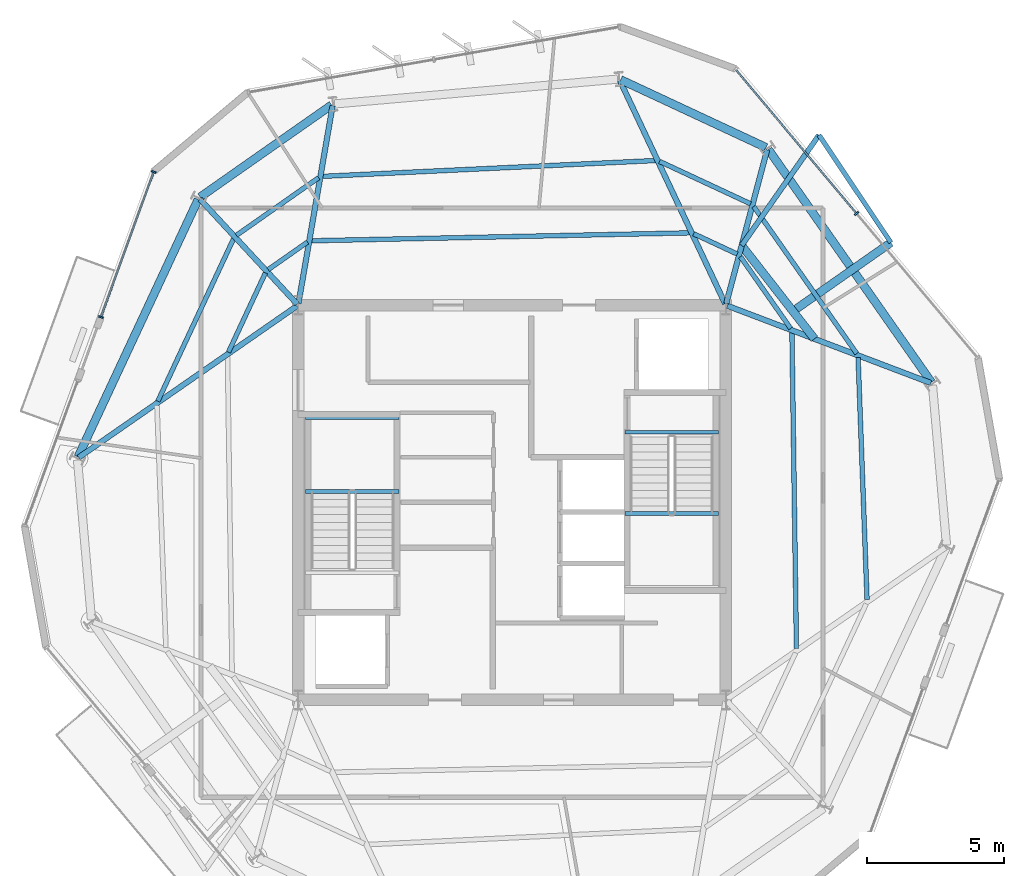
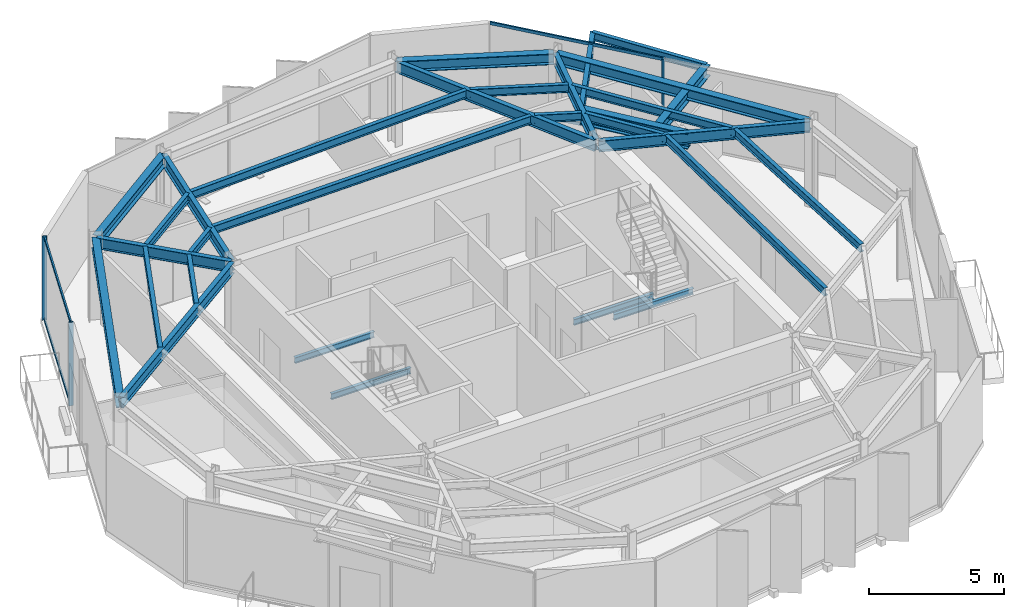
# One storey, part 4 of 11: 30 beams, 7 members, 2 elements without a shape of their own.
"""IFC4 building model written with IfcOpenShell, lengths in metres."""

from ifc_helpers import new_model, si_unit, direction, frame, origin, origin_2d, place, context, subcontext, project, spatial, rectangle, i_section, extrude, material, layer, layer_set, material_profile, profile_set, type_object, element, aggregate, save


model = new_model("IFC4")

# Units and contexts
model_context = context("Model", 3, precision=1e-05, world=origin(), true_north=direction((0.0, 1.0)))
body_context = subcontext(model_context, "Body", "Model", "MODEL_VIEW")
ifc_project = project(units=[si_unit("LENGTHUNIT", "METRE"), si_unit("AREAUNIT", "SQUARE_METRE"), si_unit("VOLUMEUNIT", "CUBIC_METRE"), si_unit("PLANEANGLEUNIT", "RADIAN"), si_unit("MASSUNIT", "GRAM", prefix="KILO")], contexts=[model_context])

# Site, building, storey
site_placement = place(None, origin())
site = spatial("IfcSite", under=ifc_project, at=site_placement, CompositionType="ELEMENT")
building_placement = place(site_placement, origin())
building = spatial("IfcBuilding", under=site, at=building_placement, Name="Kranzbogen Civic Tower", CompositionType="ELEMENT")
storey_placement = place(building_placement, frame((0.0, 0.0, 306.199951171875)))
storey = spatial("IfcBuildingStorey", under=building, at=storey_placement, Name="L74", CompositionType="ELEMENT", Elevation=306.199951171875)

# Beam
ifc_material_1 = material(Name="Steel S355", Category="steel")
ifc_material_profile_1 = material_profile(ifc_material_1, i_section(OverallWidth=0.18994140625, OverallDepth=0.449951171875, WebThickness=0.009521484375, FlangeThickness=0.0146484375, at=origin_2d()), Name="IPE 450")
ifc_profile_set_1 = profile_set([ifc_material_profile_1], Name="Steel S355")
beam_type_1 = type_object("IfcBeamType", Name="Braced Terrace Edge Beam IPE 450", PredefinedType="BEAM", material=ifc_profile_set_1)
beam_1_placement = place(storey_placement, frame((33.3779296875, 34.3759765625, 3.525146484375), z_axis=(0.573558949877, 0.819164288172, 0.0), x_axis=(-0.819164288172, 0.573558949877, 0.0)))
element("IfcBeam", 1, at=beam_1_placement, inside=storey, type_object=beam_type_1, Name="L75 back-spanned terrace beam L75-TB2-2", PredefinedType="BEAM", context=body_context, shape_type="SweptSolid", body=[
    extrude(i_section(OverallWidth=0.18994140625, OverallDepth=0.449951171875, WebThickness=0.009521484375, FlangeThickness=0.0146484375, at=origin_2d()), origin(), (0.0, 0.0, 1.0), 4.91845703125),
])

# Curtain wall, members
ifc_material_2 = material(Name="Pale Anodised Aluminium", Category="aluminium")
ifc_layer = layer(ifc_material_2, 0.219970703125, Name="Pale Anodised Aluminium")
ifc_layer_set = layer_set([ifc_layer], Name="Pale Anodised Aluminium")
curtain_wall_type = type_object("IfcCurtainWallType", Name="Zone 4 Stick Curtain Wall System CW-05", PredefinedType="USERDEFINED", material=ifc_layer_set)
curtain_wall_1_placement = place(storey_placement, origin())
curtain_wall_1 = element("IfcCurtainWall", 2, at=curtain_wall_1_placement, inside=storey, type_object=curtain_wall_type, Name="L74 curtain wall CW-L74-F2-S1", ObjectType="STICK CURTAIN WALL", PredefinedType="USERDEFINED")
ifc_material_profile_2 = material_profile(ifc_material_2, rectangle(XDim=0.06494140625, YDim=0.179931640625, at=origin_2d()), Name="ALU-M 65x180")
ifc_profile_set_2 = profile_set([ifc_material_profile_2], Name="Pale Anodised Aluminium")
member_type_1 = type_object("IfcMemberType", Name="Curtain Wall Mullion ALU-M 65x180", PredefinedType="MULLION", material=ifc_profile_set_2)
member_1_placement = place(storey_placement, frame((11.9326171875, 37.059814453125, 0.0), z_axis=(0.0, 0.0, 1.0), x_axis=(-0.342039257273, -0.939685663658, 0.0)))
member_1 = element("IfcMember", 3, at=member_1_placement, type_object=member_type_1, Name="CW-05 mullion 1", PredefinedType="MULLION", context=body_context, shape_type="SweptSolid", body=[
    extrude(rectangle(XDim=0.06494140625, YDim=0.179931640625, at=origin_2d()), origin(), (0.0, 0.0, 1.0), 3.780029296875),
])
member_2_placement = place(storey_placement, frame((10.00634765625, 31.76708984375, 0.0), z_axis=(0.0, 0.0, 1.0), x_axis=(-0.342039257273, -0.939685663658, 0.0)))
member_2 = element("IfcMember", 4, at=member_2_placement, type_object=member_type_1, Name="CW-05 mullion 2", PredefinedType="MULLION", context=body_context, shape_type="SweptSolid", body=[
    extrude(rectangle(XDim=0.06494140625, YDim=0.179931640625, at=origin_2d()), origin(), (0.0, 0.0, 1.0), 3.780029296875),
])

# Curtain wall, member
curtain_wall_2_placement = place(storey_placement, origin())
curtain_wall_2 = element("IfcCurtainWall", 5, at=curtain_wall_2_placement, inside=storey, type_object=curtain_wall_type, Name="L74 curtain wall CW-L74-F6", ObjectType="STICK CURTAIN WALL", PredefinedType="USERDEFINED")
member_3_placement = place(storey_placement, frame((37.56640625, 35.54443359375, 0.0), z_axis=(0.0, 0.0, 1.0), x_axis=(-0.642756484055, 0.766070559547, 0.0)))
member_3 = element("IfcMember", 6, at=member_3_placement, type_object=member_type_1, Name="CW-05 mullion 2", PredefinedType="MULLION", context=body_context, shape_type="SweptSolid", body=[
    extrude(rectangle(XDim=0.06494140625, YDim=0.179931640625, at=origin_2d()), origin(), (0.0, 0.0, 1.0), 3.780029296875),
])

# Member
ifc_material_profile_3 = material_profile(ifc_material_2, rectangle(XDim=0.06494140625, YDim=0.135009765625, at=origin_2d()), Name="ALU-T 65x135")
ifc_profile_set_3 = profile_set([ifc_material_profile_3], Name="Pale Anodised Aluminium")
member_type_2 = type_object("IfcMemberType", Name="Curtain Wall Transom ALU-T 65x135", PredefinedType="USERDEFINED", material=ifc_profile_set_3)
member_4_placement = place(storey_placement, frame((11.92236328125, 37.03173828125, 0.030029296875), z_axis=(-0.342003368861, -0.939698726022, 0.0), x_axis=(0.939698726022, -0.342003368861, 0.0)))
member_4 = element("IfcMember", 7, at=member_4_placement, type_object=member_type_2, Name="CW-05 transom 1.1", ObjectType="TRANSOM", PredefinedType="USERDEFINED", context=body_context, shape_type="SweptSolid", body=[
    extrude(rectangle(XDim=0.06494140625, YDim=0.135009765625, at=origin_2d()), origin(), (0.0, 0.0, 1.0), 5.572265625),
])

member_5_placement = place(storey_placement, frame((11.92236328125, 37.03173828125, 3.75), z_axis=(-0.342003368861, -0.939698726022, 0.0), x_axis=(0.939698726022, -0.342003368861, 0.0)))
member_5 = element("IfcMember", 8, at=member_5_placement, type_object=member_type_2, Name="CW-05 transom 1.2", ObjectType="TRANSOM", PredefinedType="USERDEFINED", context=body_context, shape_type="SweptSolid", body=[
    extrude(rectangle(XDim=0.06494140625, YDim=0.135009765625, at=origin_2d()), origin(), (0.0, 0.0, 1.0), 5.572265625),
])

aggregate(curtain_wall_1, [member_1, member_2, member_4, member_5])

member_6_placement = place(storey_placement, frame((37.547119140625, 35.5673828125, 0.030029296875), z_axis=(-0.642740017665, 0.766084375047, 0.0), x_axis=(-0.766084375047, -0.642740017665, 0.0)))
member_6 = element("IfcMember", 9, at=member_6_placement, type_object=member_type_2, Name="CW-05 transom 2.1", ObjectType="TRANSOM", PredefinedType="USERDEFINED", context=body_context, shape_type="SweptSolid", body=[
    extrude(rectangle(XDim=0.06494140625, YDim=0.135009765625, at=origin_2d()), origin(), (0.0, 0.0, 1.0), 6.802978515625),
])

member_7_placement = place(storey_placement, frame((37.547119140625, 35.5673828125, 3.75), z_axis=(-0.642740017665, 0.766084375047, 0.0), x_axis=(-0.766084375047, -0.642740017665, 0.0)))
member_7 = element("IfcMember", 10, at=member_7_placement, type_object=member_type_2, Name="CW-05 transom 2.2", ObjectType="TRANSOM", PredefinedType="USERDEFINED", context=body_context, shape_type="SweptSolid", body=[
    extrude(rectangle(XDim=0.06494140625, YDim=0.135009765625, at=origin_2d()), origin(), (0.0, 0.0, 1.0), 6.802978515625),
])

aggregate(curtain_wall_2, [member_3, member_6, member_7])

# Beams
ifc_material_profile_4 = material_profile(ifc_material_1, i_section(OverallWidth=0.300048828125, OverallDepth=0.5, WebThickness=0.014404296875, FlangeThickness=0.028076171875, at=origin_2d()), Name="HEB 500")
ifc_profile_set_4 = profile_set([ifc_material_profile_4], Name="Steel S355")
beam_type_2 = type_object("IfcBeamType", Name="Perimeter Tube Spandrel Beam HEB 500", PredefinedType="SPANDREL", material=ifc_profile_set_4)
beam_2_placement = place(storey_placement, frame((40.300048828125, 29.387939453125, 3.530029296875), z_axis=(-0.573577759301, 0.819151117948, 0.0), x_axis=(-0.819151117948, -0.573577759301, 0.0)))
element("IfcBeam", 11, at=beam_2_placement, inside=storey, type_object=beam_type_2, Name="L74 perimeter spandrel beam 07", PredefinedType="SPANDREL", context=body_context, shape_type="SweptSolid", body=[
    extrude(i_section(OverallWidth=0.300048828125, OverallDepth=0.5, WebThickness=0.014404296875, FlangeThickness=0.028076171875, at=origin_2d()), origin(), (0.0, 0.0, 1.0), 10.36328125),
])
beam_3_placement = place(storey_placement, frame((34.26806640625, 37.950927734375, 3.530029296875), z_axis=(-0.906289661556, 0.422657129784, 0.0), x_axis=(-0.422657129784, -0.906289661556, 0.0)))
element("IfcBeam", 12, at=beam_3_placement, inside=storey, type_object=beam_type_2, Name="L74 perimeter spandrel beam 08", PredefinedType="SPANDREL", context=body_context, shape_type="SweptSolid", body=[
    extrude(i_section(OverallWidth=0.300048828125, OverallDepth=0.5, WebThickness=0.014404296875, FlangeThickness=0.028076171875, at=origin_2d()), origin(), (0.0, 0.0, 1.0), 5.853759765625),
])
beam_4_placement = place(storey_placement, frame((18.41796875, 39.501953125, 3.530029296875), z_axis=(-0.819059436004, -0.57370867197, 0.0), x_axis=(0.57370867197, -0.819059436004, 0.0)))
element("IfcBeam", 13, at=beam_4_placement, inside=storey, type_object=beam_type_2, Name="L74 perimeter spandrel beam 10", PredefinedType="SPANDREL", context=body_context, shape_type="SweptSolid", body=[
    extrude(i_section(OverallWidth=0.300048828125, OverallDepth=0.5, WebThickness=0.014404296875, FlangeThickness=0.028076171875, at=origin_2d()), origin(), (0.0, 0.0, 1.0), 5.85302734375),
])
beam_5_placement = place(storey_placement, frame((13.550048828125, 36.055908203125, 3.530029296875), z_axis=(-0.422668780888, -0.906284227857, 0.0), x_axis=(0.906284227857, -0.422668780888, 0.0)))
element("IfcBeam", 14, at=beam_5_placement, inside=storey, type_object=beam_type_2, Name="L74 perimeter spandrel beam 11", PredefinedType="SPANDREL", context=body_context, shape_type="SweptSolid", body=[
    extrude(i_section(OverallWidth=0.300048828125, OverallDepth=0.5, WebThickness=0.014404296875, FlangeThickness=0.028076171875, at=origin_2d()), origin(), (0.0, 0.0, 1.0), 10.363037109375),
])
beam_6_placement = place(storey_placement, frame((35.248046875, 31.97998046875, 3.5), z_axis=(0.819139876634, 0.57359381317, 0.0), x_axis=(-0.57359381317, 0.819139876634, 0.0)))
element("IfcBeam", 15, at=beam_6_placement, inside=storey, type_object=beam_type_2, Name="L75 back-spanned terrace beam L75-TB2-1", PredefinedType="SPANDREL", context=body_context, shape_type="SweptSolid", body=[
    extrude(i_section(OverallWidth=0.300048828125, OverallDepth=0.5, WebThickness=0.014404296875, FlangeThickness=0.028076171875, at=origin_2d()), origin(), (0.0, 0.0, 1.0), 4.36181640625),
])
ifc_material_profile_5 = material_profile(ifc_material_1, i_section(OverallWidth=0.300048828125, OverallDepth=0.699951171875, WebThickness=0.01708984375, FlangeThickness=0.031982421875, at=origin_2d()), Name="HEB 700")
ifc_profile_set_5 = profile_set([ifc_material_profile_5], Name="Steel S355")
beam_type_3 = type_object("IfcBeamType", Name="Perimeter Tube Spandrel Beam HEB 700", PredefinedType="SPANDREL", material=ifc_profile_set_5)
beam_7_placement = place(storey_placement, frame((36.033935546875, 30.971923828125, 3.400146484375), z_axis=(-0.615153431403, 0.788407417414, 0.0), x_axis=(-0.788407417414, -0.615153431403, 0.0)))
element("IfcBeam", 16, at=beam_7_placement, inside=storey, type_object=beam_type_3, Name="L75 balcony back-span header girder L75-TB2", PredefinedType="SPANDREL", context=body_context, shape_type="SweptSolid", body=[
    extrude(i_section(OverallWidth=0.300048828125, OverallDepth=0.699951171875, WebThickness=0.01708984375, FlangeThickness=0.031982421875, at=origin_2d()), origin(), (0.0, 0.0, 1.0), 4.317626953125),
])
ifc_material_profile_6 = material_profile(ifc_material_1, i_section(OverallWidth=0.199951171875, OverallDepth=0.5, WebThickness=0.01025390625, FlangeThickness=0.01611328125, at=origin_2d()), Name="IPE 500")
ifc_profile_set_6 = profile_set([ifc_material_profile_6], Name="Steel S355")
beam_type_4 = type_object("IfcBeamType", Name="Radial Tower Floor Girder IPE 500", PredefinedType="BEAM", material=ifc_profile_set_6)
beam_8_placement = place(storey_placement, frame((40.278076171875, 29.360107421875, 3.530029296875), z_axis=(-0.934848709689, 0.355046320913, 0.0), x_axis=(-0.355046320913, -0.934848709689, 0.0)))
element("IfcBeam", 17, at=beam_8_placement, inside=storey, type_object=beam_type_4, Name="L74 radial floor girder 07", PredefinedType="BEAM", context=body_context, shape_type="SweptSolid", body=[
    extrude(i_section(OverallWidth=0.199951171875, OverallDepth=0.5, WebThickness=0.01025390625, FlangeThickness=0.01611328125, at=origin_2d()), origin(), (0.0, 0.0, 1.0), 7.939453125),
])
beam_9_placement = place(storey_placement, frame((34.306884765625, 37.867919921875, 3.530029296875), z_axis=(-0.257016017622, -0.966407143333, 0.0), x_axis=(0.966407143333, -0.257016017622, 0.0)))
element("IfcBeam", 18, at=beam_9_placement, inside=storey, type_object=beam_type_4, Name="L74 radial floor girder 08", PredefinedType="BEAM", context=body_context, shape_type="SweptSolid", body=[
    extrude(i_section(OverallWidth=0.199951171875, OverallDepth=0.5, WebThickness=0.01025390625, FlangeThickness=0.01611328125, at=origin_2d()), origin(), (0.0, 0.0, 1.0), 5.804931640625),
])
beam_10_placement = place(storey_placement, frame((28.93505859375, 40.39599609375, 3.530029296875), z_axis=(0.426460441273, -0.904506214478, 0.0), x_axis=(0.904506214478, 0.426460441273, 0.0)))
element("IfcBeam", 19, at=beam_10_placement, inside=storey, type_object=beam_type_4, Name="L74 radial floor girder 09", PredefinedType="BEAM", context=body_context, shape_type="SweptSolid", body=[
    extrude(i_section(OverallWidth=0.199951171875, OverallDepth=0.5, WebThickness=0.01025390625, FlangeThickness=0.01611328125, at=origin_2d()), origin(), (0.0, 0.0, 1.0), 9.001708984375),
])
beam_11_placement = place(storey_placement, frame((18.45703125, 39.47705078125, 3.530029296875), z_axis=(-0.170249558486, -0.985400978199, 0.0), x_axis=(0.985400978199, -0.170249558486, 0.0)))
element("IfcBeam", 20, at=beam_11_placement, inside=storey, type_object=beam_type_4, Name="L74 radial floor girder 10", PredefinedType="BEAM", context=body_context, shape_type="SweptSolid", body=[
    extrude(i_section(OverallWidth=0.199951171875, OverallDepth=0.5, WebThickness=0.01025390625, FlangeThickness=0.01611328125, at=origin_2d()), origin(), (0.0, 0.0, 1.0), 7.324951171875),
])
beam_12_placement = place(storey_placement, frame((13.615966796875, 36.06591796875, 3.530029296875), z_axis=(0.679827353702, -0.733372190064, 0.0), x_axis=(0.733372190064, 0.679827353702, 0.0)))
element("IfcBeam", 21, at=beam_12_placement, inside=storey, type_object=beam_type_4, Name="L74 radial floor girder 11", PredefinedType="BEAM", context=body_context, shape_type="SweptSolid", body=[
    extrude(i_section(OverallWidth=0.199951171875, OverallDepth=0.5, WebThickness=0.01025390625, FlangeThickness=0.01611328125, at=origin_2d()), origin(), (0.0, 0.0, 1.0), 5.211669921875),
])
beam_13_placement = place(storey_placement, frame((9.194091796875, 26.64404296875, 3.530029296875), z_axis=(0.821542812331, 0.570146829779, 0.0), x_axis=(-0.570146829779, 0.821542812331, 0.0)))
element("IfcBeam", 22, at=beam_13_placement, inside=storey, type_object=beam_type_4, Name="L74 radial floor girder 12", PredefinedType="BEAM", context=body_context, shape_type="SweptSolid", body=[
    extrude(i_section(OverallWidth=0.199951171875, OverallDepth=0.5, WebThickness=0.01025390625, FlangeThickness=0.01611328125, at=origin_2d()), origin(), (0.0, 0.0, 1.0), 9.68505859375),
])
ifc_material_profile_7 = material_profile(ifc_material_1, i_section(OverallWidth=0.169921875, OverallDepth=0.360107421875, WebThickness=0.008056640625, FlangeThickness=0.0126953125, at=origin_2d()), Name="IPE 360")
ifc_profile_set_7 = profile_set([ifc_material_profile_7], Name="Steel S355")
beam_type_5 = type_object("IfcBeamType", Name="Secondary Composite Floor Joist IPE 360", PredefinedType="JOIST", material=ifc_profile_set_7)
beam_14_placement = place(storey_placement, frame((37.951904296875, 21.4580078125, 3.60009765625), z_axis=(-0.036992246074, 0.999315552631, 0.0), x_axis=(-0.999315552631, -0.036992246074, 0.0)))
element("IfcBeam", 23, at=beam_14_placement, inside=storey, type_object=beam_type_5, Name="L74 secondary floor joist 1.06", PredefinedType="JOIST", context=body_context, shape_type="SweptSolid", body=[
    extrude(i_section(OverallWidth=0.169921875, OverallDepth=0.360107421875, WebThickness=0.008056640625, FlangeThickness=0.0126953125, at=origin_2d()), origin(), (0.0, 0.0, 1.0), 8.837158203125),
])
beam_15_placement = place(storey_placement, frame((35.3759765625, 19.6689453125, 3.60009765625), z_axis=(-0.014221385906, 0.999898870978, 0.0), x_axis=(-0.999898870978, -0.014221385906, 0.0)))
element("IfcBeam", 24, at=beam_15_placement, inside=storey, type_object=beam_type_5, Name="L74 secondary floor joist 2.06", PredefinedType="JOIST", context=body_context, shape_type="SweptSolid", body=[
    extrude(i_section(OverallWidth=0.169921875, OverallDepth=0.360107421875, WebThickness=0.008056640625, FlangeThickness=0.0126953125, at=origin_2d()), origin(), (0.0, 0.0, 1.0), 11.536376953125),
])
beam_16_placement = place(storey_placement, frame((37.575927734375, 30.43408203125, 3.60009765625), z_axis=(-0.573499872939, 0.819205649235, 0.0), x_axis=(-0.819205649235, -0.573499872939, 0.0)))
element("IfcBeam", 25, at=beam_16_placement, inside=storey, type_object=beam_type_5, Name="L74 secondary floor joist 1.07", PredefinedType="JOIST", context=body_context, shape_type="SweptSolid", body=[
    extrude(i_section(OverallWidth=0.169921875, OverallDepth=0.360107421875, WebThickness=0.008056640625, FlangeThickness=0.0126953125, at=origin_2d()), origin(), (0.0, 0.0, 1.0), 6.549072265625),
])
beam_17_placement = place(storey_placement, frame((35.1650390625, 31.35009765625, 3.60009765625), z_axis=(-0.573498248491, 0.819206786457, 0.0), x_axis=(-0.819206786457, -0.573498248491, 0.0)))
element("IfcBeam", 26, at=beam_17_placement, inside=storey, type_object=beam_type_5, Name="L74 secondary floor joist 2.07", PredefinedType="JOIST", context=body_context, shape_type="SweptSolid", body=[
    extrude(i_section(OverallWidth=0.169921875, OverallDepth=0.360107421875, WebThickness=0.008056640625, FlangeThickness=0.0126953125, at=origin_2d()), origin(), (0.0, 0.0, 1.0), 3.194580078125),
])
beam_18_placement = place(storey_placement, frame((33.701904296875, 35.89794921875, 3.60009765625), z_axis=(-0.906303996948, 0.422626389517, 0.0), x_axis=(-0.422626389517, -0.906303996948, 0.0)))
element("IfcBeam", 27, at=beam_18_placement, inside=storey, type_object=beam_type_5, Name="L74 secondary floor joist 1.08", PredefinedType="JOIST", context=body_context, shape_type="SweptSolid", body=[
    extrude(i_section(OverallWidth=0.169921875, OverallDepth=0.360107421875, WebThickness=0.008056640625, FlangeThickness=0.0126953125, at=origin_2d()), origin(), (0.0, 0.0, 1.0), 3.6630859375),
])
beam_19_placement = place(storey_placement, frame((33.215087890625, 34.06591796875, 3.60009765625), z_axis=(-0.906432174342, 0.422351409751, 0.0), x_axis=(-0.422351409751, -0.906432174342, 0.0)))
element("IfcBeam", 28, at=beam_19_placement, inside=storey, type_object=beam_type_5, Name="L74 secondary floor joist 2.08", PredefinedType="JOIST", context=body_context, shape_type="SweptSolid", body=[
    extrude(i_section(OverallWidth=0.169921875, OverallDepth=0.360107421875, WebThickness=0.008056640625, FlangeThickness=0.0126953125, at=origin_2d()), origin(), (0.0, 0.0, 1.0), 1.751953125),
])
beam_20_placement = place(storey_placement, frame((30.22998046875, 37.47607421875, 3.60009765625), z_axis=(-0.998871634781, -0.047491654324, 0.0), x_axis=(0.047491654324, -0.998871634781, 0.0)))
element("IfcBeam", 29, at=beam_20_placement, inside=storey, type_object=beam_type_5, Name="L74 secondary floor joist 1.09", PredefinedType="JOIST", context=body_context, shape_type="SweptSolid", body=[
    extrude(i_section(OverallWidth=0.169921875, OverallDepth=0.360107421875, WebThickness=0.008056640625, FlangeThickness=0.0126953125, at=origin_2d()), origin(), (0.0, 0.0, 1.0), 12.152587890625),
])
beam_21_placement = place(storey_placement, frame((31.47509765625, 34.837890625, 3.60009765625), z_axis=(-0.999780746893, -0.020939392104, 0.0), x_axis=(0.020939392104, -0.999780746893, 0.0)))
element("IfcBeam", 30, at=beam_21_placement, inside=storey, type_object=beam_type_5, Name="L74 secondary floor joist 2.09", PredefinedType="JOIST", context=body_context, shape_type="SweptSolid", body=[
    extrude(i_section(OverallWidth=0.169921875, OverallDepth=0.360107421875, WebThickness=0.008056640625, FlangeThickness=0.0126953125, at=origin_2d()), origin(), (0.0, 0.0, 1.0), 13.79296875),
])
beam_22_placement = place(storey_placement, frame((17.945068359375, 36.84912109375, 3.60009765625), z_axis=(-0.819006333711, -0.573784476385, 0.0), x_axis=(0.573784476385, -0.819006333711, 0.0)))
element("IfcBeam", 31, at=beam_22_placement, inside=storey, type_object=beam_type_5, Name="L74 secondary floor joist 1.10", PredefinedType="JOIST", context=body_context, shape_type="SweptSolid", body=[
    extrude(i_section(OverallWidth=0.169921875, OverallDepth=0.360107421875, WebThickness=0.008056640625, FlangeThickness=0.0126953125, at=origin_2d()), origin(), (0.0, 0.0, 1.0), 3.661865234375),
])
beam_23_placement = place(storey_placement, frame((17.5400390625, 34.501953125, 3.60009765625), z_axis=(-0.818956727849, -0.573855276103, 0.0), x_axis=(0.573855276103, -0.818956727849, 0.0)))
element("IfcBeam", 32, at=beam_23_placement, inside=storey, type_object=beam_type_5, Name="L74 secondary floor joist 2.10", PredefinedType="JOIST", context=body_context, shape_type="SweptSolid", body=[
    extrude(i_section(OverallWidth=0.169921875, OverallDepth=0.360107421875, WebThickness=0.008056640625, FlangeThickness=0.0126953125, at=origin_2d()), origin(), (0.0, 0.0, 1.0), 1.751220703125),
])
beam_24_placement = place(storey_placement, frame((14.845947265625, 34.6298828125, 3.60009765625), z_axis=(-0.422542528713, -0.906343098075, 0.0), x_axis=(0.906343098075, -0.422542528713, 0.0)))
element("IfcBeam", 33, at=beam_24_placement, inside=storey, type_object=beam_type_5, Name="L74 secondary floor joist 1.11", PredefinedType="JOIST", context=body_context, shape_type="SweptSolid", body=[
    extrude(i_section(OverallWidth=0.169921875, OverallDepth=0.360107421875, WebThickness=0.008056640625, FlangeThickness=0.0126953125, at=origin_2d()), origin(), (0.0, 0.0, 1.0), 6.548095703125),
])
beam_25_placement = place(storey_placement, frame((16.006103515625, 33.37890625, 3.60009765625), z_axis=(-0.422651143991, -0.906292453065, 0.0), x_axis=(0.906292453065, -0.422651143991, 0.0)))
element("IfcBeam", 34, at=beam_25_placement, inside=storey, type_object=beam_type_5, Name="L74 secondary floor joist 2.11", PredefinedType="JOIST", context=body_context, shape_type="SweptSolid", body=[
    extrude(i_section(OverallWidth=0.169921875, OverallDepth=0.360107421875, WebThickness=0.008056640625, FlangeThickness=0.0126953125, at=origin_2d()), origin(), (0.0, 0.0, 1.0), 3.1943359375),
])
beam_26_placement = place(storey_placement, frame((38.821044921875, 34.48193359375, 3.570068359375), z_axis=(-0.555678876837, 0.831397008557, 0.0), x_axis=(-0.831397008557, -0.555678876837, 0.0)))
element("IfcBeam", 35, at=beam_26_placement, inside=storey, type_object=beam_type_5, Name="L75 terrace outer edge trimmer L75-TB2", PredefinedType="JOIST", context=body_context, shape_type="SweptSolid", body=[
    extrude(i_section(OverallWidth=0.169921875, OverallDepth=0.360107421875, WebThickness=0.008056640625, FlangeThickness=0.0126953125, at=origin_2d()), origin(), (0.0, 0.0, 1.0), 4.71875),
])
ifc_material_profile_8 = material_profile(ifc_material_1, i_section(OverallWidth=0.135009765625, OverallDepth=0.27001953125, WebThickness=0.006591796875, FlangeThickness=0.01025390625, at=origin_2d()), Name="IPE 270")
ifc_profile_set_8 = profile_set([ifc_material_profile_8], Name="Steel S355")
beam_type_6 = type_object("IfcBeamType", Name="Stair Landing Support Beam IPE 270", PredefinedType="JOIST", material=ifc_profile_set_8)
for number, where, z_axis, x_axis, name in (
    (36, (20.8798828125, 25.39990234375, 1.6650390625), (-1.0, 0.0, 0.0), (0.0, -1.0, 0.0), "L74 ST-T1 landing support beam 1.1"),
    (37, (20.8798828125, 28.10009765625, 1.6650390625), (-1.0, 0.0, 0.0), (0.0, -1.0, 0.0), "L74 ST-T1 landing support beam 1.2"),
    (38, (29.1201171875, 27.56005859375, -0.35498046875), (1.0, 0.0, 0.0), (0.0, 1.0, 0.0), "L74 ST-T2 stair floor header beam"),
    (39, (29.1201171875, 24.60009765625, 1.6650390625), (1.0, 0.0, 0.0), (0.0, 1.0, 0.0), "L74 ST-T2 landing support beam 1.1"),
):
    element("IfcBeam", number, at=place(storey_placement, frame(where, z_axis=z_axis, x_axis=x_axis)), inside=storey, type_object=beam_type_6, Name=name, PredefinedType="JOIST", context=body_context, shape_type="SweptSolid", body=[
        extrude(i_section(OverallWidth=0.135009765625, OverallDepth=0.27001953125, WebThickness=0.006591796875, FlangeThickness=0.01025390625, at=origin_2d()), origin(), (0.0, 0.0, 1.0), 3.409912109375),
    ])

save(model, "model.ifc")
